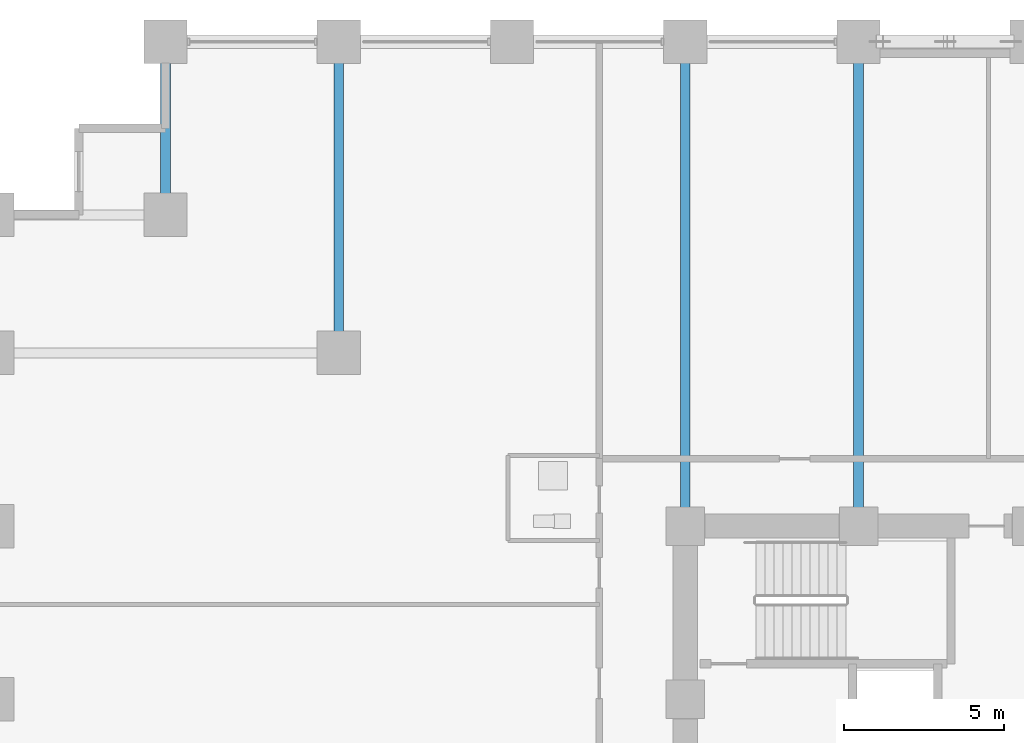
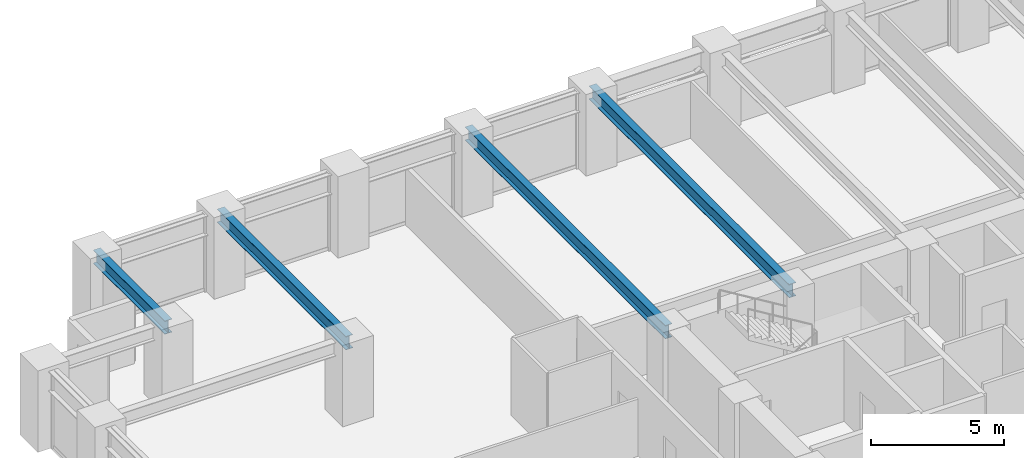
# One storey, part 11 of 25: 4 beams.
"""IFC4 building model written with IfcOpenShell, lengths in metres."""

from ifc_helpers import new_model, si_unit, direction, frame, origin, origin_2d, place, context, subcontext, project, spatial, i_section, extrude, material, material_profile, profile_set, type_object, element, save


model = new_model("IFC4")

# Units and contexts
model_context = context("Model", 3, precision=1e-05, world=origin(), true_north=direction((0.0, 1.0)))
body_context = subcontext(model_context, "Body", "Model", "MODEL_VIEW")
ifc_project = project(units=[si_unit("LENGTHUNIT", "METRE"), si_unit("AREAUNIT", "SQUARE_METRE"), si_unit("VOLUMEUNIT", "CUBIC_METRE"), si_unit("PLANEANGLEUNIT", "RADIAN"), si_unit("MASSUNIT", "GRAM", prefix="KILO")], contexts=[model_context])

# Site, building, storey
site_placement = place(None, origin())
site = spatial("IfcSite", under=ifc_project, at=site_placement, CompositionType="ELEMENT")
building_placement = place(site_placement, origin())
building = spatial("IfcBuilding", under=site, at=building_placement, Name="Surkhivell Harbour Commons", CompositionType="ELEMENT")
storey_placement = place(building_placement, frame((0.0, 0.0, 41.25)))
storey = spatial("IfcBuildingStorey", under=building, at=storey_placement, Name="L10", CompositionType="ELEMENT", Elevation=41.25)

# Beams
ifc_material = material(Name="Steel S355", Category="steel")
ifc_material_profile = material_profile(ifc_material, i_section(OverallWidth=0.306884765625, OverallDepth=0.6201171875, WebThickness=0.01416015625, FlangeThickness=0.023681640625, at=origin_2d()), Name="UB610x305x179")
ifc_profile_set = profile_set([ifc_material_profile], Name="Steel S355")
beam_type = type_object("IfcBeamType", Name="BM-GRD-610A", PredefinedType="BEAM", material=ifc_profile_set)
beam_1_placement = place(storey_placement, frame((-27.0, 20.5, 3.260009765625), z_axis=(0.0, 1.0, 0.0), x_axis=(-1.0, 0.0, 0.0)))
element("IfcBeam", 1, at=beam_1_placement, inside=storey, type_object=beam_type, Name="L10 Floor Girder (-27.0,20.5)", PredefinedType="BEAM", context=body_context, shape_type="SweptSolid", body=[
    extrude(i_section(OverallWidth=0.306884765625, OverallDepth=0.6201171875, WebThickness=0.01416015625, FlangeThickness=0.023681640625, at=origin_2d()), origin(), (0.0, 0.0, 1.0), 5.39990234375),
])
beam_2_placement = place(storey_placement, frame((-21.60009765625, 16.199951171875, 3.260009765625), z_axis=(0.0, 1.0, 0.0), x_axis=(-1.0, 0.0, 0.0)))
element("IfcBeam", 2, at=beam_2_placement, inside=storey, type_object=beam_type, Name="L10 Floor Girder (-21.6,16.2)", PredefinedType="BEAM", context=body_context, shape_type="SweptSolid", body=[
    extrude(i_section(OverallWidth=0.306884765625, OverallDepth=0.6201171875, WebThickness=0.01416015625, FlangeThickness=0.023681640625, at=origin_2d()), origin(), (0.0, 0.0, 1.0), 9.699951171875),
])
for number, where, z_axis, x_axis, name in (
    (3, (-10.800048828125, 10.800048828125, 3.260009765625), (0.0, 1.0, 0.0), (-1.0, 0.0, 0.0), "L10 Floor Girder (-10.8,10.8)"),
    (4, (-5.39990234375, 10.800048828125, 3.260009765625), (0.0, 1.0, 0.0), (-1.0, 0.0, 0.0), "L10 Floor Girder (-5.4,10.8)"),
):
    element("IfcBeam", number, at=place(storey_placement, frame(where, z_axis=z_axis, x_axis=x_axis)), inside=storey, type_object=beam_type, Name=name, PredefinedType="BEAM", context=body_context, shape_type="SweptSolid", body=[
        extrude(i_section(OverallWidth=0.306884765625, OverallDepth=0.6201171875, WebThickness=0.01416015625, FlangeThickness=0.023681640625, at=origin_2d()), origin(), (0.0, 0.0, 1.0), 15.099853515625),
    ])

save(model, "model.ifc")
